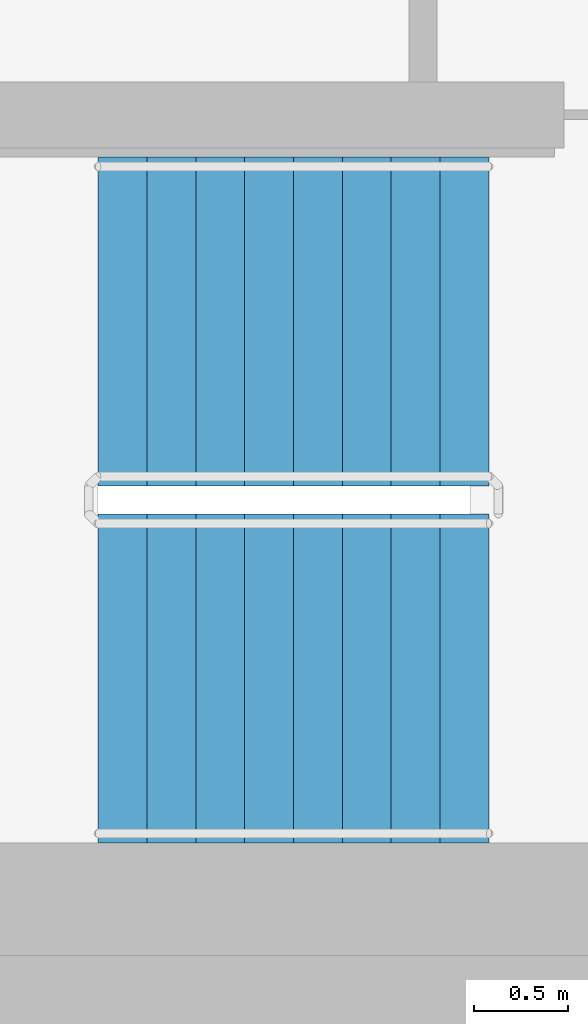
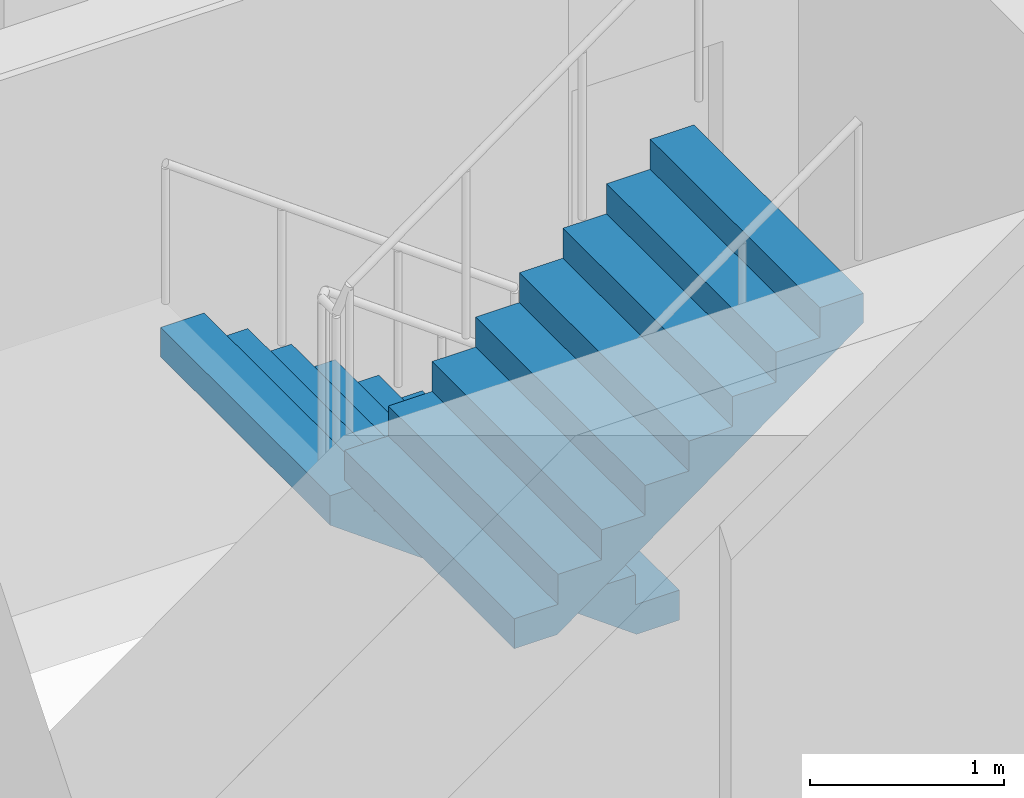
# One storey, part 12 of 18: 2 stair flights, 1 element without a shape of its own.
"""IFC4 building model written with IfcOpenShell, lengths in metres."""

from ifc_helpers import new_model, si_unit, direction, frame, origin, place, context, subcontext, project, spatial, faceted_brep, material, type_object, element, aggregate, save


model = new_model("IFC4")

# Units and contexts
model_context = context("Model", 3, precision=1e-05, world=origin(), true_north=direction((0.0, 1.0)))
body_context = subcontext(model_context, "Body", "Model", "MODEL_VIEW")
ifc_project = project(units=[si_unit("LENGTHUNIT", "METRE"), si_unit("AREAUNIT", "SQUARE_METRE"), si_unit("VOLUMEUNIT", "CUBIC_METRE"), si_unit("PLANEANGLEUNIT", "RADIAN"), si_unit("MASSUNIT", "GRAM", prefix="KILO")], contexts=[model_context])

# Site, building, storey
site_placement = place(None, origin())
site = spatial("IfcSite", under=ifc_project, at=site_placement, CompositionType="ELEMENT")
building_placement = place(site_placement, origin())
building = spatial("IfcBuilding", under=site, at=building_placement, Name="Ipe Terrace Towers", CompositionType="ELEMENT")
storey_placement = place(building_placement, frame((0.0, 0.0, 226.60009765625)))
storey = spatial("IfcBuildingStorey", under=building, at=storey_placement, Name="L63", CompositionType="ELEMENT", Elevation=226.60009765625)

# Stair, stair flights
ifc_material_1 = material(Name="Concrete C30/37", Category="concrete")
stair_type = type_object("IfcStairType", Name="Protected exit stair", PredefinedType="HALF_TURN_STAIR", material=ifc_material_1)
stair_placement = place(storey_placement, origin())
stair = element("IfcStair", 1, at=stair_placement, inside=storey, type_object=stair_type, Name="L63 Exit stair T1-C2", PredefinedType="HALF_TURN_STAIR")
ifc_material_2 = material(Name="Concrete C30/37", Category="concrete")
stair_flight_type = type_object("IfcStairFlightType", Name="Exit stair flight 1750", PredefinedType="STRAIGHT", material=ifc_material_2)
stair_flight_1_placement = place(storey_placement, frame((-45.699951171875, -2.77490234375, 0.0), z_axis=(0.0, 0.0, 1.0), x_axis=(-1.0, 0.0, 0.0)))
stair_flight_1 = element("IfcStairFlight", 2, at=stair_flight_1_placement, type_object=stair_flight_type, Name="T1-ST2 flight 1", NumberOfRisers=9, NumberOfTreads=8, PredefinedType="STRAIGHT", RiserHeight=0.188888889, TreadLength=0.26, context=body_context, shape_type="Brep", body=[
    faceted_brep([(0.255126953125, -0.875, 0.0), (2.080078125, -0.875, 1.325927734375), (2.080078125, -0.875, 1.51123046875), (1.820068359375, -0.875, 1.51123046875), (1.820068359375, -0.875, 1.322265625), (1.56005859375, -0.875, 1.322265625), (1.56005859375, -0.875, 1.13330078125), (1.300048828125, -0.875, 1.13330078125), (1.300048828125, -0.875, 0.9443359375), (1.0400390625, -0.875, 0.9443359375), (1.0400390625, -0.875, 0.755615234375), (0.780029296875, -0.875, 0.755615234375), (0.780029296875, -0.875, 0.566650390625), (0.52001953125, -0.875, 0.566650390625), (0.52001953125, -0.875, 0.377685546875), (0.260009765625, -0.875, 0.377685546875), (0.260009765625, -0.875, 0.18896484375), (0.0, -0.875, 0.18896484375), (0.0, -0.875, 0.0), (0.0, 0.875, 0.0), (0.0, 0.875, 0.18896484375), (0.260009765625, 0.875, 0.18896484375), (0.260009765625, 0.875, 0.377685546875), (0.52001953125, 0.875, 0.377685546875), (0.52001953125, 0.875, 0.566650390625), (0.780029296875, 0.875, 0.566650390625), (0.780029296875, 0.875, 0.755615234375), (1.0400390625, 0.875, 0.755615234375), (1.0400390625, 0.875, 0.9443359375), (1.300048828125, 0.875, 0.9443359375), (1.300048828125, 0.875, 1.13330078125), (1.56005859375, 0.875, 1.13330078125), (1.56005859375, 0.875, 1.322265625), (1.820068359375, 0.875, 1.322265625), (1.820068359375, 0.875, 1.51123046875), (2.080078125, 0.875, 1.51123046875), (2.080078125, 0.875, 1.325927734375), (0.255126953125, 0.875, 0.0), (0.0, -0.300048828125, 0.18896484375), (0.0, -0.1201171875, 0.18896484375), (0.0, -0.06005859375, 0.18896484375), (0.0, -0.030029296875, 0.18896484375), (0.0, -0.010009765625, 0.18896484375), (0.0, 0.0, 0.18896484375), (0.0, 0.010009765625, 0.18896484375), (0.0, 0.030029296875, 0.18896484375), (0.0, 0.06005859375, 0.18896484375), (0.0, 0.1201171875, 0.18896484375), (0.0, 0.300048828125, 0.18896484375), (0.0, 0.300048828125, 0.0), (0.0, 0.1201171875, 0.0), (0.0, 0.06005859375, 0.0), (0.0, 0.030029296875, 0.0), (0.0, 0.010009765625, 0.0), (0.0, 0.0, 0.0), (0.0, -0.010009765625, 0.0), (0.0, -0.030029296875, 0.0), (0.0, -0.06005859375, 0.0), (0.0, -0.1201171875, 0.0), (0.0, -0.300048828125, 0.0), (0.260009765625, -0.300048828125, 0.18896484375), (0.260009765625, -0.1201171875, 0.18896484375), (0.260009765625, -0.06005859375, 0.18896484375), (0.260009765625, -0.030029296875, 0.18896484375), (0.260009765625, -0.010009765625, 0.18896484375), (0.260009765625, 0.0, 0.18896484375), (0.260009765625, 0.010009765625, 0.18896484375), (0.260009765625, 0.030029296875, 0.18896484375), (0.260009765625, 0.06005859375, 0.18896484375), (0.260009765625, 0.1201171875, 0.18896484375), (0.260009765625, 0.300048828125, 0.18896484375), (0.260009765625, -0.300048828125, 0.377685546875), (0.260009765625, -0.1201171875, 0.377685546875), (0.260009765625, -0.06005859375, 0.377685546875), (0.260009765625, -0.030029296875, 0.377685546875), (0.260009765625, -0.010009765625, 0.377685546875), (0.260009765625, 0.0, 0.377685546875), (0.260009765625, 0.010009765625, 0.377685546875), (0.260009765625, 0.030029296875, 0.377685546875), (0.260009765625, 0.06005859375, 0.377685546875), (0.260009765625, 0.1201171875, 0.377685546875), (0.260009765625, 0.300048828125, 0.377685546875), (0.52001953125, -0.300048828125, 0.377685546875), (0.52001953125, -0.1201171875, 0.377685546875), (0.52001953125, -0.06005859375, 0.377685546875), (0.52001953125, -0.030029296875, 0.377685546875), (0.52001953125, -0.010009765625, 0.377685546875), (0.52001953125, 0.0, 0.377685546875), (0.52001953125, 0.010009765625, 0.377685546875), (0.52001953125, 0.030029296875, 0.377685546875), (0.52001953125, 0.06005859375, 0.377685546875), (0.52001953125, 0.1201171875, 0.377685546875), (0.52001953125, 0.300048828125, 0.377685546875), (0.52001953125, -0.300048828125, 0.566650390625), (0.52001953125, -0.1201171875, 0.566650390625), (0.52001953125, -0.06005859375, 0.566650390625), (0.52001953125, -0.030029296875, 0.566650390625), (0.52001953125, -0.010009765625, 0.566650390625), (0.52001953125, 0.0, 0.566650390625), (0.52001953125, 0.010009765625, 0.566650390625), (0.52001953125, 0.030029296875, 0.566650390625), (0.52001953125, 0.06005859375, 0.566650390625), (0.52001953125, 0.1201171875, 0.566650390625), (0.52001953125, 0.300048828125, 0.566650390625), (0.780029296875, -0.300048828125, 0.566650390625), (0.780029296875, -0.1201171875, 0.566650390625), (0.780029296875, -0.06005859375, 0.566650390625), (0.780029296875, -0.030029296875, 0.566650390625), (0.780029296875, -0.010009765625, 0.566650390625), (0.780029296875, 0.0, 0.566650390625), (0.780029296875, 0.010009765625, 0.566650390625), (0.780029296875, 0.030029296875, 0.566650390625), (0.780029296875, 0.06005859375, 0.566650390625), (0.780029296875, 0.1201171875, 0.566650390625), (0.780029296875, 0.300048828125, 0.566650390625), (0.780029296875, -0.300048828125, 0.755615234375), (0.780029296875, -0.1201171875, 0.755615234375), (0.780029296875, -0.06005859375, 0.755615234375), (0.780029296875, -0.030029296875, 0.755615234375), (0.780029296875, -0.010009765625, 0.755615234375), (0.780029296875, 0.0, 0.755615234375), (0.780029296875, 0.010009765625, 0.755615234375), (0.780029296875, 0.030029296875, 0.755615234375), (0.780029296875, 0.06005859375, 0.755615234375), (0.780029296875, 0.1201171875, 0.755615234375), (0.780029296875, 0.300048828125, 0.755615234375), (1.0400390625, -0.300048828125, 0.755615234375), (1.0400390625, -0.1201171875, 0.755615234375), (1.0400390625, -0.06005859375, 0.755615234375), (1.0400390625, -0.030029296875, 0.755615234375), (1.0400390625, -0.010009765625, 0.755615234375), (1.0400390625, 0.0, 0.755615234375), (1.0400390625, 0.010009765625, 0.755615234375), (1.0400390625, 0.030029296875, 0.755615234375), (1.0400390625, 0.06005859375, 0.755615234375), (1.0400390625, 0.1201171875, 0.755615234375), (1.0400390625, 0.300048828125, 0.755615234375), (1.0400390625, -0.300048828125, 0.9443359375), (1.0400390625, -0.1201171875, 0.9443359375), (1.0400390625, -0.06005859375, 0.9443359375), (1.0400390625, -0.030029296875, 0.9443359375), (1.0400390625, -0.010009765625, 0.9443359375), (1.0400390625, 0.0, 0.9443359375), (1.0400390625, 0.010009765625, 0.9443359375), (1.0400390625, 0.030029296875, 0.9443359375), (1.0400390625, 0.06005859375, 0.9443359375), (1.0400390625, 0.1201171875, 0.9443359375), (1.0400390625, 0.300048828125, 0.9443359375), (1.300048828125, -0.300048828125, 0.9443359375), (1.300048828125, -0.1201171875, 0.9443359375), (1.300048828125, -0.06005859375, 0.9443359375), (1.300048828125, -0.030029296875, 0.9443359375), (1.300048828125, -0.010009765625, 0.9443359375), (1.300048828125, 0.0, 0.9443359375), (1.300048828125, 0.010009765625, 0.9443359375), (1.300048828125, 0.030029296875, 0.9443359375), (1.300048828125, 0.06005859375, 0.9443359375), (1.300048828125, 0.1201171875, 0.9443359375), (1.300048828125, 0.300048828125, 0.9443359375), (1.300048828125, -0.300048828125, 1.13330078125), (1.300048828125, -0.1201171875, 1.13330078125), (1.300048828125, -0.06005859375, 1.13330078125), (1.300048828125, -0.030029296875, 1.13330078125), (1.300048828125, -0.010009765625, 1.13330078125), (1.300048828125, 0.0, 1.13330078125), (1.300048828125, 0.010009765625, 1.13330078125), (1.300048828125, 0.030029296875, 1.13330078125), (1.300048828125, 0.06005859375, 1.13330078125), (1.300048828125, 0.1201171875, 1.13330078125), (1.300048828125, 0.300048828125, 1.13330078125), (1.56005859375, -0.300048828125, 1.13330078125), (1.56005859375, -0.1201171875, 1.13330078125), (1.56005859375, -0.06005859375, 1.13330078125), (1.56005859375, -0.030029296875, 1.13330078125), (1.56005859375, -0.010009765625, 1.13330078125), (1.56005859375, 0.0, 1.13330078125), (1.56005859375, 0.010009765625, 1.13330078125), (1.56005859375, 0.030029296875, 1.13330078125), (1.56005859375, 0.06005859375, 1.13330078125), (1.56005859375, 0.1201171875, 1.13330078125), (1.56005859375, 0.300048828125, 1.13330078125), (1.56005859375, -0.300048828125, 1.322265625), (1.56005859375, -0.1201171875, 1.322265625), (1.56005859375, -0.06005859375, 1.322265625), (1.56005859375, -0.030029296875, 1.322265625), (1.56005859375, -0.010009765625, 1.322265625), (1.56005859375, 0.0, 1.322265625), (1.56005859375, 0.010009765625, 1.322265625), (1.56005859375, 0.030029296875, 1.322265625), (1.56005859375, 0.06005859375, 1.322265625), (1.56005859375, 0.1201171875, 1.322265625), (1.56005859375, 0.300048828125, 1.322265625), (1.820068359375, -0.300048828125, 1.322265625), (1.820068359375, -0.1201171875, 1.322265625), (1.820068359375, -0.06005859375, 1.322265625), (1.820068359375, -0.030029296875, 1.322265625), (1.820068359375, -0.010009765625, 1.322265625), (1.820068359375, 0.0, 1.322265625), (1.820068359375, 0.010009765625, 1.322265625), (1.820068359375, 0.030029296875, 1.322265625), (1.820068359375, 0.06005859375, 1.322265625), (1.820068359375, 0.1201171875, 1.322265625), (1.820068359375, 0.300048828125, 1.322265625), (1.820068359375, -0.300048828125, 1.51123046875), (1.820068359375, -0.1201171875, 1.51123046875), (1.820068359375, -0.06005859375, 1.51123046875), (1.820068359375, -0.030029296875, 1.51123046875), (1.820068359375, -0.010009765625, 1.51123046875), (1.820068359375, 0.0, 1.51123046875), (1.820068359375, 0.010009765625, 1.51123046875), (1.820068359375, 0.030029296875, 1.51123046875), (1.820068359375, 0.06005859375, 1.51123046875), (1.820068359375, 0.1201171875, 1.51123046875), (1.820068359375, 0.300048828125, 1.51123046875), (2.080078125, -0.300048828125, 1.51123046875), (2.080078125, -0.1201171875, 1.51123046875), (2.080078125, -0.06005859375, 1.51123046875), (2.080078125, -0.030029296875, 1.51123046875), (2.080078125, -0.010009765625, 1.51123046875), (2.080078125, 0.0, 1.51123046875), (2.080078125, 0.010009765625, 1.51123046875), (2.080078125, 0.030029296875, 1.51123046875), (2.080078125, 0.06005859375, 1.51123046875), (2.080078125, 0.1201171875, 1.51123046875), (2.080078125, 0.300048828125, 1.51123046875), (2.080078125, -0.300048828125, 1.325927734375), (2.080078125, -0.1201171875, 1.325927734375), (2.080078125, -0.06005859375, 1.325927734375), (2.080078125, -0.030029296875, 1.325927734375), (2.080078125, -0.010009765625, 1.325927734375), (2.080078125, 0.0, 1.325927734375), (2.080078125, 0.010009765625, 1.325927734375), (2.080078125, 0.030029296875, 1.325927734375), (2.080078125, 0.06005859375, 1.325927734375), (2.080078125, 0.1201171875, 1.325927734375), (2.080078125, 0.300048828125, 1.325927734375), (0.255126953125, -0.300048828125, 0.0), (0.255126953125, -0.1201171875, 0.0), (0.255126953125, -0.06005859375, 0.0), (0.255126953125, -0.030029296875, 0.0), (0.255126953125, -0.010009765625, 0.0), (0.255126953125, 0.0, 0.0), (0.255126953125, 0.010009765625, 0.0), (0.255126953125, 0.030029296875, 0.0), (0.255126953125, 0.06005859375, 0.0), (0.255126953125, 0.1201171875, 0.0), (0.255126953125, 0.300048828125, 0.0)], [[[0, 1, 2, 3, 4, 5, 6, 7, 8, 9, 10, 11, 12, 13, 14, 15, 16, 17, 18]], [[19, 20, 21, 22, 23, 24, 25, 26, 27, 28, 29, 30, 31, 32, 33, 34, 35, 36, 37]], [[17, 38, 39, 40, 41, 42, 43, 44, 45, 46, 47, 48, 20, 19, 49, 50, 51, 52, 53, 54, 55, 56, 57, 58, 59, 18]], [[16, 60, 61, 62, 63, 64, 65, 66, 67, 68, 69, 70, 21, 20, 48, 47, 46, 45, 44, 43, 42, 41, 40, 39, 38, 17]], [[15, 71, 72, 73, 74, 75, 76, 77, 78, 79, 80, 81, 22, 21, 70, 69, 68, 67, 66, 65, 64, 63, 62, 61, 60, 16]], [[14, 82, 83, 84, 85, 86, 87, 88, 89, 90, 91, 92, 23, 22, 81, 80, 79, 78, 77, 76, 75, 74, 73, 72, 71, 15]], [[13, 93, 94, 95, 96, 97, 98, 99, 100, 101, 102, 103, 24, 23, 92, 91, 90, 89, 88, 87, 86, 85, 84, 83, 82, 14]], [[12, 104, 105, 106, 107, 108, 109, 110, 111, 112, 113, 114, 25, 24, 103, 102, 101, 100, 99, 98, 97, 96, 95, 94, 93, 13]], [[11, 115, 116, 117, 118, 119, 120, 121, 122, 123, 124, 125, 26, 25, 114, 113, 112, 111, 110, 109, 108, 107, 106, 105, 104, 12]], [[10, 126, 127, 128, 129, 130, 131, 132, 133, 134, 135, 136, 27, 26, 125, 124, 123, 122, 121, 120, 119, 118, 117, 116, 115, 11]], [[9, 137, 138, 139, 140, 141, 142, 143, 144, 145, 146, 147, 28, 27, 136, 135, 134, 133, 132, 131, 130, 129, 128, 127, 126, 10]], [[8, 148, 149, 150, 151, 152, 153, 154, 155, 156, 157, 158, 29, 28, 147, 146, 145, 144, 143, 142, 141, 140, 139, 138, 137, 9]], [[7, 159, 160, 161, 162, 163, 164, 165, 166, 167, 168, 169, 30, 29, 158, 157, 156, 155, 154, 153, 152, 151, 150, 149, 148, 8]], [[6, 170, 171, 172, 173, 174, 175, 176, 177, 178, 179, 180, 31, 30, 169, 168, 167, 166, 165, 164, 163, 162, 161, 160, 159, 7]], [[5, 181, 182, 183, 184, 185, 186, 187, 188, 189, 190, 191, 32, 31, 180, 179, 178, 177, 176, 175, 174, 173, 172, 171, 170, 6]], [[4, 192, 193, 194, 195, 196, 197, 198, 199, 200, 201, 202, 33, 32, 191, 190, 189, 188, 187, 186, 185, 184, 183, 182, 181, 5]], [[3, 203, 204, 205, 206, 207, 208, 209, 210, 211, 212, 213, 34, 33, 202, 201, 200, 199, 198, 197, 196, 195, 194, 193, 192, 4]], [[2, 214, 215, 216, 217, 218, 219, 220, 221, 222, 223, 224, 35, 34, 213, 212, 211, 210, 209, 208, 207, 206, 205, 204, 203, 3]], [[1, 225, 226, 227, 228, 229, 230, 231, 232, 233, 234, 235, 36, 35, 224, 223, 222, 221, 220, 219, 218, 217, 216, 215, 214, 2]], [[0, 236, 237, 238, 239, 240, 241, 242, 243, 244, 245, 246, 37, 36, 235, 234, 233, 232, 231, 230, 229, 228, 227, 226, 225, 1]], [[18, 59, 58, 57, 56, 55, 54, 53, 52, 51, 50, 49, 19, 37, 246, 245, 244, 243, 242, 241, 240, 239, 238, 237, 236, 0]]]),
])
stair_flight_2_placement = place(storey_placement, frame((-47.780029296875, -4.675048828125, 1.699951171875), z_axis=(0.0, 0.0, 1.0), x_axis=(1.0, 0.0, 0.0)))
stair_flight_2 = element("IfcStairFlight", 3, at=stair_flight_2_placement, type_object=stair_flight_type, Name="T1-ST2 flight 2", NumberOfRisers=9, NumberOfTreads=8, PredefinedType="STRAIGHT", RiserHeight=0.188888889, TreadLength=0.26, context=body_context, shape_type="Brep", body=[
    faceted_brep([(0.255126953125, -0.875, 0.0), (2.080078125, -0.875, 1.325927734375), (2.080078125, -0.875, 1.51123046875), (1.820068359375, -0.875, 1.51123046875), (1.820068359375, -0.875, 1.322265625), (1.56005859375, -0.875, 1.322265625), (1.56005859375, -0.875, 1.13330078125), (1.300048828125, -0.875, 1.13330078125), (1.300048828125, -0.875, 0.9443359375), (1.0400390625, -0.875, 0.9443359375), (1.0400390625, -0.875, 0.755615234375), (0.780029296875, -0.875, 0.755615234375), (0.780029296875, -0.875, 0.566650390625), (0.52001953125, -0.875, 0.566650390625), (0.52001953125, -0.875, 0.377685546875), (0.260009765625, -0.875, 0.377685546875), (0.260009765625, -0.875, 0.18896484375), (0.0, -0.875, 0.18896484375), (0.0, -0.875, 0.0), (0.0, 0.875, 0.0), (0.0, 0.875, 0.18896484375), (0.260009765625, 0.875, 0.18896484375), (0.260009765625, 0.875, 0.377685546875), (0.52001953125, 0.875, 0.377685546875), (0.52001953125, 0.875, 0.566650390625), (0.780029296875, 0.875, 0.566650390625), (0.780029296875, 0.875, 0.755615234375), (1.0400390625, 0.875, 0.755615234375), (1.0400390625, 0.875, 0.9443359375), (1.300048828125, 0.875, 0.9443359375), (1.300048828125, 0.875, 1.13330078125), (1.56005859375, 0.875, 1.13330078125), (1.56005859375, 0.875, 1.322265625), (1.820068359375, 0.875, 1.322265625), (1.820068359375, 0.875, 1.51123046875), (2.080078125, 0.875, 1.51123046875), (2.080078125, 0.875, 1.325927734375), (0.255126953125, 0.875, 0.0), (0.0, -0.300048828125, 0.18896484375), (0.0, -0.1201171875, 0.18896484375), (0.0, -0.06005859375, 0.18896484375), (0.0, -0.030029296875, 0.18896484375), (0.0, -0.010009765625, 0.18896484375), (0.0, 0.0, 0.18896484375), (0.0, 0.010009765625, 0.18896484375), (0.0, 0.030029296875, 0.18896484375), (0.0, 0.06005859375, 0.18896484375), (0.0, 0.1201171875, 0.18896484375), (0.0, 0.300048828125, 0.18896484375), (0.0, 0.300048828125, 0.0), (0.0, 0.1201171875, 0.0), (0.0, 0.06005859375, 0.0), (0.0, 0.030029296875, 0.0), (0.0, 0.010009765625, 0.0), (0.0, 0.0, 0.0), (0.0, -0.010009765625, 0.0), (0.0, -0.030029296875, 0.0), (0.0, -0.06005859375, 0.0), (0.0, -0.1201171875, 0.0), (0.0, -0.300048828125, 0.0), (0.260009765625, -0.300048828125, 0.18896484375), (0.260009765625, -0.1201171875, 0.18896484375), (0.260009765625, -0.06005859375, 0.18896484375), (0.260009765625, -0.030029296875, 0.18896484375), (0.260009765625, -0.010009765625, 0.18896484375), (0.260009765625, 0.0, 0.18896484375), (0.260009765625, 0.010009765625, 0.18896484375), (0.260009765625, 0.030029296875, 0.18896484375), (0.260009765625, 0.06005859375, 0.18896484375), (0.260009765625, 0.1201171875, 0.18896484375), (0.260009765625, 0.300048828125, 0.18896484375), (0.260009765625, -0.300048828125, 0.377685546875), (0.260009765625, -0.1201171875, 0.377685546875), (0.260009765625, -0.06005859375, 0.377685546875), (0.260009765625, -0.030029296875, 0.377685546875), (0.260009765625, -0.010009765625, 0.377685546875), (0.260009765625, 0.0, 0.377685546875), (0.260009765625, 0.010009765625, 0.377685546875), (0.260009765625, 0.030029296875, 0.377685546875), (0.260009765625, 0.06005859375, 0.377685546875), (0.260009765625, 0.1201171875, 0.377685546875), (0.260009765625, 0.300048828125, 0.377685546875), (0.52001953125, -0.300048828125, 0.377685546875), (0.52001953125, -0.1201171875, 0.377685546875), (0.52001953125, -0.06005859375, 0.377685546875), (0.52001953125, -0.030029296875, 0.377685546875), (0.52001953125, -0.010009765625, 0.377685546875), (0.52001953125, 0.0, 0.377685546875), (0.52001953125, 0.010009765625, 0.377685546875), (0.52001953125, 0.030029296875, 0.377685546875), (0.52001953125, 0.06005859375, 0.377685546875), (0.52001953125, 0.1201171875, 0.377685546875), (0.52001953125, 0.300048828125, 0.377685546875), (0.52001953125, -0.300048828125, 0.566650390625), (0.52001953125, -0.1201171875, 0.566650390625), (0.52001953125, -0.06005859375, 0.566650390625), (0.52001953125, -0.030029296875, 0.566650390625), (0.52001953125, -0.010009765625, 0.566650390625), (0.52001953125, 0.0, 0.566650390625), (0.52001953125, 0.010009765625, 0.566650390625), (0.52001953125, 0.030029296875, 0.566650390625), (0.52001953125, 0.06005859375, 0.566650390625), (0.52001953125, 0.1201171875, 0.566650390625), (0.52001953125, 0.300048828125, 0.566650390625), (0.780029296875, -0.300048828125, 0.566650390625), (0.780029296875, -0.1201171875, 0.566650390625), (0.780029296875, -0.06005859375, 0.566650390625), (0.780029296875, -0.030029296875, 0.566650390625), (0.780029296875, -0.010009765625, 0.566650390625), (0.780029296875, 0.0, 0.566650390625), (0.780029296875, 0.010009765625, 0.566650390625), (0.780029296875, 0.030029296875, 0.566650390625), (0.780029296875, 0.06005859375, 0.566650390625), (0.780029296875, 0.1201171875, 0.566650390625), (0.780029296875, 0.300048828125, 0.566650390625), (0.780029296875, -0.300048828125, 0.755615234375), (0.780029296875, -0.1201171875, 0.755615234375), (0.780029296875, -0.06005859375, 0.755615234375), (0.780029296875, -0.030029296875, 0.755615234375), (0.780029296875, -0.010009765625, 0.755615234375), (0.780029296875, 0.0, 0.755615234375), (0.780029296875, 0.010009765625, 0.755615234375), (0.780029296875, 0.030029296875, 0.755615234375), (0.780029296875, 0.06005859375, 0.755615234375), (0.780029296875, 0.1201171875, 0.755615234375), (0.780029296875, 0.300048828125, 0.755615234375), (1.0400390625, -0.300048828125, 0.755615234375), (1.0400390625, -0.1201171875, 0.755615234375), (1.0400390625, -0.06005859375, 0.755615234375), (1.0400390625, -0.030029296875, 0.755615234375), (1.0400390625, -0.010009765625, 0.755615234375), (1.0400390625, 0.0, 0.755615234375), (1.0400390625, 0.010009765625, 0.755615234375), (1.0400390625, 0.030029296875, 0.755615234375), (1.0400390625, 0.06005859375, 0.755615234375), (1.0400390625, 0.1201171875, 0.755615234375), (1.0400390625, 0.300048828125, 0.755615234375), (1.0400390625, -0.300048828125, 0.9443359375), (1.0400390625, -0.1201171875, 0.9443359375), (1.0400390625, -0.06005859375, 0.9443359375), (1.0400390625, -0.030029296875, 0.9443359375), (1.0400390625, -0.010009765625, 0.9443359375), (1.0400390625, 0.0, 0.9443359375), (1.0400390625, 0.010009765625, 0.9443359375), (1.0400390625, 0.030029296875, 0.9443359375), (1.0400390625, 0.06005859375, 0.9443359375), (1.0400390625, 0.1201171875, 0.9443359375), (1.0400390625, 0.300048828125, 0.9443359375), (1.300048828125, -0.300048828125, 0.9443359375), (1.300048828125, -0.1201171875, 0.9443359375), (1.300048828125, -0.06005859375, 0.9443359375), (1.300048828125, -0.030029296875, 0.9443359375), (1.300048828125, -0.010009765625, 0.9443359375), (1.300048828125, 0.0, 0.9443359375), (1.300048828125, 0.010009765625, 0.9443359375), (1.300048828125, 0.030029296875, 0.9443359375), (1.300048828125, 0.06005859375, 0.9443359375), (1.300048828125, 0.1201171875, 0.9443359375), (1.300048828125, 0.300048828125, 0.9443359375), (1.300048828125, -0.300048828125, 1.13330078125), (1.300048828125, -0.1201171875, 1.13330078125), (1.300048828125, -0.06005859375, 1.13330078125), (1.300048828125, -0.030029296875, 1.13330078125), (1.300048828125, -0.010009765625, 1.13330078125), (1.300048828125, 0.0, 1.13330078125), (1.300048828125, 0.010009765625, 1.13330078125), (1.300048828125, 0.030029296875, 1.13330078125), (1.300048828125, 0.06005859375, 1.13330078125), (1.300048828125, 0.1201171875, 1.13330078125), (1.300048828125, 0.300048828125, 1.13330078125), (1.56005859375, -0.300048828125, 1.13330078125), (1.56005859375, -0.1201171875, 1.13330078125), (1.56005859375, -0.06005859375, 1.13330078125), (1.56005859375, -0.030029296875, 1.13330078125), (1.56005859375, -0.010009765625, 1.13330078125), (1.56005859375, 0.0, 1.13330078125), (1.56005859375, 0.010009765625, 1.13330078125), (1.56005859375, 0.030029296875, 1.13330078125), (1.56005859375, 0.06005859375, 1.13330078125), (1.56005859375, 0.1201171875, 1.13330078125), (1.56005859375, 0.300048828125, 1.13330078125), (1.56005859375, -0.300048828125, 1.322265625), (1.56005859375, -0.1201171875, 1.322265625), (1.56005859375, -0.06005859375, 1.322265625), (1.56005859375, -0.030029296875, 1.322265625), (1.56005859375, -0.010009765625, 1.322265625), (1.56005859375, 0.0, 1.322265625), (1.56005859375, 0.010009765625, 1.322265625), (1.56005859375, 0.030029296875, 1.322265625), (1.56005859375, 0.06005859375, 1.322265625), (1.56005859375, 0.1201171875, 1.322265625), (1.56005859375, 0.300048828125, 1.322265625), (1.820068359375, -0.300048828125, 1.322265625), (1.820068359375, -0.1201171875, 1.322265625), (1.820068359375, -0.06005859375, 1.322265625), (1.820068359375, -0.030029296875, 1.322265625), (1.820068359375, -0.010009765625, 1.322265625), (1.820068359375, 0.0, 1.322265625), (1.820068359375, 0.010009765625, 1.322265625), (1.820068359375, 0.030029296875, 1.322265625), (1.820068359375, 0.06005859375, 1.322265625), (1.820068359375, 0.1201171875, 1.322265625), (1.820068359375, 0.300048828125, 1.322265625), (1.820068359375, -0.300048828125, 1.51123046875), (1.820068359375, -0.1201171875, 1.51123046875), (1.820068359375, -0.06005859375, 1.51123046875), (1.820068359375, -0.030029296875, 1.51123046875), (1.820068359375, -0.010009765625, 1.51123046875), (1.820068359375, 0.0, 1.51123046875), (1.820068359375, 0.010009765625, 1.51123046875), (1.820068359375, 0.030029296875, 1.51123046875), (1.820068359375, 0.06005859375, 1.51123046875), (1.820068359375, 0.1201171875, 1.51123046875), (1.820068359375, 0.300048828125, 1.51123046875), (2.080078125, -0.300048828125, 1.51123046875), (2.080078125, -0.1201171875, 1.51123046875), (2.080078125, -0.06005859375, 1.51123046875), (2.080078125, -0.030029296875, 1.51123046875), (2.080078125, -0.010009765625, 1.51123046875), (2.080078125, 0.0, 1.51123046875), (2.080078125, 0.010009765625, 1.51123046875), (2.080078125, 0.030029296875, 1.51123046875), (2.080078125, 0.06005859375, 1.51123046875), (2.080078125, 0.1201171875, 1.51123046875), (2.080078125, 0.300048828125, 1.51123046875), (2.080078125, -0.300048828125, 1.325927734375), (2.080078125, -0.1201171875, 1.325927734375), (2.080078125, -0.06005859375, 1.325927734375), (2.080078125, -0.030029296875, 1.325927734375), (2.080078125, -0.010009765625, 1.325927734375), (2.080078125, 0.0, 1.325927734375), (2.080078125, 0.010009765625, 1.325927734375), (2.080078125, 0.030029296875, 1.325927734375), (2.080078125, 0.06005859375, 1.325927734375), (2.080078125, 0.1201171875, 1.325927734375), (2.080078125, 0.300048828125, 1.325927734375), (0.255126953125, -0.300048828125, 0.0), (0.255126953125, -0.1201171875, 0.0), (0.255126953125, -0.06005859375, 0.0), (0.255126953125, -0.030029296875, 0.0), (0.255126953125, -0.010009765625, 0.0), (0.255126953125, 0.0, 0.0), (0.255126953125, 0.010009765625, 0.0), (0.255126953125, 0.030029296875, 0.0), (0.255126953125, 0.06005859375, 0.0), (0.255126953125, 0.1201171875, 0.0), (0.255126953125, 0.300048828125, 0.0)], [[[0, 1, 2, 3, 4, 5, 6, 7, 8, 9, 10, 11, 12, 13, 14, 15, 16, 17, 18]], [[19, 20, 21, 22, 23, 24, 25, 26, 27, 28, 29, 30, 31, 32, 33, 34, 35, 36, 37]], [[17, 38, 39, 40, 41, 42, 43, 44, 45, 46, 47, 48, 20, 19, 49, 50, 51, 52, 53, 54, 55, 56, 57, 58, 59, 18]], [[16, 60, 61, 62, 63, 64, 65, 66, 67, 68, 69, 70, 21, 20, 48, 47, 46, 45, 44, 43, 42, 41, 40, 39, 38, 17]], [[15, 71, 72, 73, 74, 75, 76, 77, 78, 79, 80, 81, 22, 21, 70, 69, 68, 67, 66, 65, 64, 63, 62, 61, 60, 16]], [[14, 82, 83, 84, 85, 86, 87, 88, 89, 90, 91, 92, 23, 22, 81, 80, 79, 78, 77, 76, 75, 74, 73, 72, 71, 15]], [[13, 93, 94, 95, 96, 97, 98, 99, 100, 101, 102, 103, 24, 23, 92, 91, 90, 89, 88, 87, 86, 85, 84, 83, 82, 14]], [[12, 104, 105, 106, 107, 108, 109, 110, 111, 112, 113, 114, 25, 24, 103, 102, 101, 100, 99, 98, 97, 96, 95, 94, 93, 13]], [[11, 115, 116, 117, 118, 119, 120, 121, 122, 123, 124, 125, 26, 25, 114, 113, 112, 111, 110, 109, 108, 107, 106, 105, 104, 12]], [[10, 126, 127, 128, 129, 130, 131, 132, 133, 134, 135, 136, 27, 26, 125, 124, 123, 122, 121, 120, 119, 118, 117, 116, 115, 11]], [[9, 137, 138, 139, 140, 141, 142, 143, 144, 145, 146, 147, 28, 27, 136, 135, 134, 133, 132, 131, 130, 129, 128, 127, 126, 10]], [[8, 148, 149, 150, 151, 152, 153, 154, 155, 156, 157, 158, 29, 28, 147, 146, 145, 144, 143, 142, 141, 140, 139, 138, 137, 9]], [[7, 159, 160, 161, 162, 163, 164, 165, 166, 167, 168, 169, 30, 29, 158, 157, 156, 155, 154, 153, 152, 151, 150, 149, 148, 8]], [[6, 170, 171, 172, 173, 174, 175, 176, 177, 178, 179, 180, 31, 30, 169, 168, 167, 166, 165, 164, 163, 162, 161, 160, 159, 7]], [[5, 181, 182, 183, 184, 185, 186, 187, 188, 189, 190, 191, 32, 31, 180, 179, 178, 177, 176, 175, 174, 173, 172, 171, 170, 6]], [[4, 192, 193, 194, 195, 196, 197, 198, 199, 200, 201, 202, 33, 32, 191, 190, 189, 188, 187, 186, 185, 184, 183, 182, 181, 5]], [[3, 203, 204, 205, 206, 207, 208, 209, 210, 211, 212, 213, 34, 33, 202, 201, 200, 199, 198, 197, 196, 195, 194, 193, 192, 4]], [[2, 214, 215, 216, 217, 218, 219, 220, 221, 222, 223, 224, 35, 34, 213, 212, 211, 210, 209, 208, 207, 206, 205, 204, 203, 3]], [[1, 225, 226, 227, 228, 229, 230, 231, 232, 233, 234, 235, 36, 35, 224, 223, 222, 221, 220, 219, 218, 217, 216, 215, 214, 2]], [[0, 236, 237, 238, 239, 240, 241, 242, 243, 244, 245, 246, 37, 36, 235, 234, 233, 232, 231, 230, 229, 228, 227, 226, 225, 1]], [[18, 59, 58, 57, 56, 55, 54, 53, 52, 51, 50, 49, 19, 37, 246, 245, 244, 243, 242, 241, 240, 239, 238, 237, 236, 0]]]),
])
aggregate(stair, [stair_flight_1, stair_flight_2])

save(model, "model.ifc")
